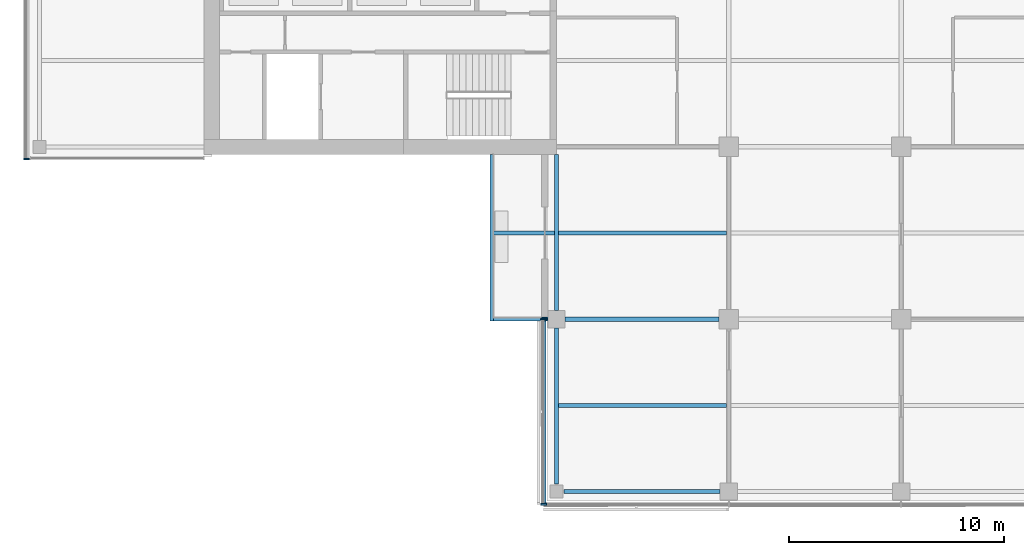
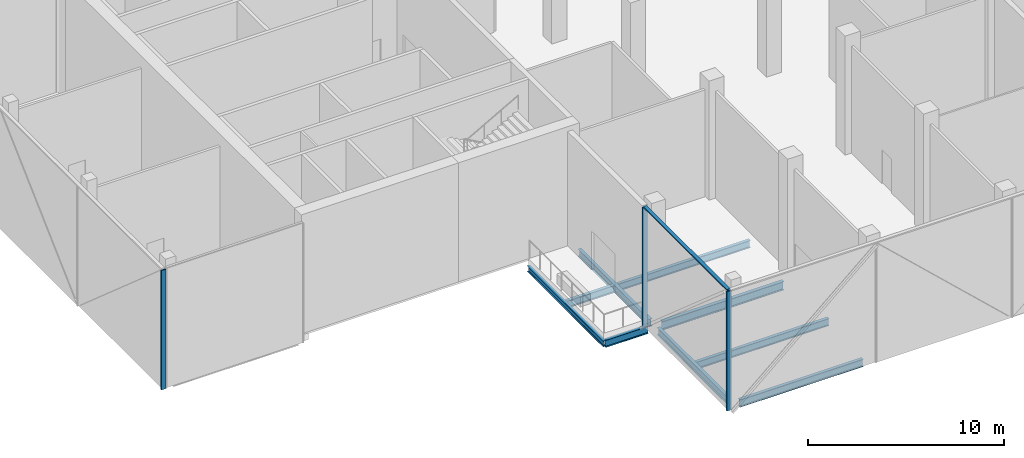
# One storey, part 2 of 20: 9 beams, 4 members, 2 elements without a shape of their own.
"""IFC4 building model written with IfcOpenShell, lengths in metres."""

from ifc_helpers import new_model, si_unit, direction, frame, origin, origin_2d, place, context, subcontext, project, spatial, rectangle, i_section, extrude, material, material_profile, profile_set, type_object, element, aggregate, save


model = new_model("IFC4")

# Units and contexts
model_context = context("Model", 3, precision=1e-05, world=origin(), true_north=direction((0.0, 1.0)))
body_context = subcontext(model_context, "Body", "Model", "MODEL_VIEW")
ifc_project = project(units=[si_unit("LENGTHUNIT", "METRE"), si_unit("AREAUNIT", "SQUARE_METRE"), si_unit("VOLUMEUNIT", "CUBIC_METRE"), si_unit("PLANEANGLEUNIT", "RADIAN"), si_unit("MASSUNIT", "GRAM", prefix="KILO")], contexts=[model_context])

# Site, building, storey
site_placement = place(None, origin())
site = spatial("IfcSite", under=ifc_project, at=site_placement, CompositionType="ELEMENT")
building_placement = place(site_placement, origin())
building = spatial("IfcBuilding", under=site, at=building_placement, Name="Crosswind Convention Tower", CompositionType="ELEMENT")
storey_placement = place(building_placement, frame((0.0, 0.0, 171.5)))
storey = spatial("IfcBuildingStorey", under=building, at=storey_placement, Name="L36", CompositionType="ELEMENT", Elevation=171.5)

# Beams
ifc_material_1 = material(Name="Steel S355", Category="steel")
ifc_material_profile_1 = material_profile(ifc_material_1, i_section(OverallWidth=0.18994140625, OverallDepth=0.45361328125, WebThickness=0.008544921875, FlangeThickness=0.0126953125, FilletRadius=0.01025390625, at=origin_2d()), Name="UB 457x191x67")
ifc_profile_set_1 = profile_set([ifc_material_profile_1], Name="Steel S355")
beam_type_1 = type_object("IfcBeamType", Name="Balcony cantilever UB 457x191x67", PredefinedType="BEAM", material=ifc_profile_set_1)
beam_1_placement = place(storey_placement, frame((112.904296875, 84.0, -0.626708984375), z_axis=(-1.0, 0.0, 0.0), x_axis=(0.0, -1.0, 0.0)))
element("IfcBeam", 1, at=beam_1_placement, inside=storey, type_object=beam_type_1, Name="B36 L36 balcony cantilever SW 7", PredefinedType="BEAM", context=body_context, shape_type="SweptSolid", body=[
    extrude(i_section(OverallWidth=0.18994140625, OverallDepth=0.45361328125, WebThickness=0.008544921875, FlangeThickness=0.0126953125, FilletRadius=0.01025390625, at=origin_2d()), origin(), (0.0, 0.0, 1.0), 2.818603515625),
])
beam_2_placement = place(storey_placement, frame((112.60009765625, 80.0, -0.626708984375), z_axis=(-1.0, 0.0, 0.0), x_axis=(0.0, -1.0, 0.0)))
element("IfcBeam", 2, at=beam_2_placement, inside=storey, type_object=beam_type_1, Name="B36 L36 balcony cantilever SW 8", PredefinedType="BEAM", context=body_context, shape_type="SweptSolid", body=[
    extrude(i_section(OverallWidth=0.18994140625, OverallDepth=0.45361328125, WebThickness=0.008544921875, FlangeThickness=0.0126953125, FilletRadius=0.01025390625, at=origin_2d()), origin(), (0.0, 0.0, 1.0), 2.514404296875),
])
ifc_material_profile_2 = material_profile(ifc_material_1, i_section(OverallWidth=0.17138671875, OverallDepth=0.355712890625, WebThickness=0.00732421875, FlangeThickness=0.011474609375, FilletRadius=0.01025390625, at=origin_2d()), Name="UB 356x171x51")
ifc_profile_set_2 = profile_set([ifc_material_profile_2], Name="Steel S355")
beam_type_2 = type_object("IfcBeamType", Name="Balcony edge beam UB 356x171x51", PredefinedType="BEAM", material=ifc_profile_set_2)
beam_3_placement = place(storey_placement, frame((110.0, 87.64990234375, -0.577880859375), z_axis=(0.0, -1.0, 0.0), x_axis=(1.0, 0.0, 0.0)))
element("IfcBeam", 3, at=beam_3_placement, inside=storey, type_object=beam_type_2, Name="B38 L36 balcony edge beam SW 9", PredefinedType="BEAM", context=body_context, shape_type="SweptSolid", body=[
    extrude(i_section(OverallWidth=0.17138671875, OverallDepth=0.355712890625, WebThickness=0.00732421875, FlangeThickness=0.011474609375, FilletRadius=0.01025390625, at=origin_2d()), origin(), (0.0, 0.0, 1.0), 7.744873046875),
])
ifc_material_profile_3 = material_profile(ifc_material_1, i_section(OverallWidth=0.19140625, OverallDepth=0.460205078125, WebThickness=0.010009765625, FlangeThickness=0.01611328125, FilletRadius=0.01025390625, at=origin_2d()), Name="UB 457x191x82")
ifc_profile_set_3 = profile_set([ifc_material_profile_3], Name="Steel S355")
beam_type_3 = type_object("IfcBeamType", Name="Edge beam UB 457x191x82", PredefinedType="SPANDREL", material=ifc_profile_set_3)
for number, where, z_axis, x_axis, name in (
    (4, (113.0, 72.35009765625, -0.630126953125), (0.0, 1.0, 0.0), (-1.0, 0.0, 0.0), "B18 L36 edge beam 6"),
    (5, (113.0, 80.39990234375, -0.630126953125), (0.0, 1.0, 0.0), (-1.0, 0.0, 0.0), "B18 L36 edge beam 7"),
    (6, (113.35009765625, 72.0, -0.630126953125), (1.0, 0.0, 0.0), (0.0, 1.0, 0.0), "B18 L36 edge beam 10"),
):
    element("IfcBeam", number, at=place(storey_placement, frame(where, z_axis=z_axis, x_axis=x_axis)), inside=storey, type_object=beam_type_3, Name=name, PredefinedType="SPANDREL", context=body_context, shape_type="SweptSolid", body=[
        extrude(i_section(OverallWidth=0.19140625, OverallDepth=0.460205078125, WebThickness=0.010009765625, FlangeThickness=0.01611328125, FilletRadius=0.01025390625, at=origin_2d()), origin(), (0.0, 0.0, 1.0), 7.25),
    ])
ifc_material_profile_4 = material_profile(ifc_material_1, i_section(OverallWidth=0.210205078125, OverallDepth=0.53662109375, WebThickness=0.010986328125, FlangeThickness=0.017333984375, FilletRadius=0.0126953125, at=origin_2d()), Name="UB 533x210x101")
ifc_profile_set_4 = profile_set([ifc_material_profile_4], Name="Steel S355")
beam_type_4 = type_object("IfcBeamType", Name="Girder UB 533x210x101", PredefinedType="BEAM", material=ifc_profile_set_4)
beam_4_placement = place(storey_placement, frame((113.39990234375, 80.0, -0.66845703125), z_axis=(1.0, 0.0, 0.0), x_axis=(0.0, 1.0, 0.0)))
element("IfcBeam", 7, at=beam_4_placement, inside=storey, type_object=beam_type_4, Name="B4 L36 girder 1", PredefinedType="BEAM", context=body_context, shape_type="SweptSolid", body=[
    extrude(i_section(OverallWidth=0.210205078125, OverallDepth=0.53662109375, WebThickness=0.010986328125, FlangeThickness=0.017333984375, FilletRadius=0.0126953125, at=origin_2d()), origin(), (0.0, 0.0, 1.0), 7.150146484375),
])

# Curtain wall, member
ifc_material_2 = material(Name="Aluminium unitised curtain wall", Category="aluminium")
curtain_wall_type = type_object("IfcCurtainWallType", Name="SKY LOBBY AND LOUNGE WALL 280", PredefinedType="USERDEFINED", material=ifc_material_2)
curtain_wall_1_placement = place(storey_placement, origin())
curtain_wall_1 = element("IfcCurtainWall", 8, at=curtain_wall_1_placement, inside=storey, type_object=curtain_wall_type, Name="CW4 L36 W-TIP 1", ObjectType="UNITISED", PredefinedType="USERDEFINED")
ifc_material_3 = material(Name="Aluminium mullion", Category="aluminium")
ifc_material_profile_5 = material_profile(ifc_material_3, rectangle(XDim=0.280029296875, YDim=0.074951171875, at=origin_2d()), Name="AL 280X75")
ifc_profile_set_5 = profile_set([ifc_material_profile_5], Name="Aluminium mullion")
member_type_1 = type_object("IfcMemberType", Name="MULLION 75X280", PredefinedType="MULLION", material=ifc_profile_set_5)
member_1_placement = place(storey_placement, frame((88.409912109375, 87.427490234375, -0.39990234375), z_axis=(0.0, 0.0, 1.0), x_axis=(-1.0, 0.0, 0.0)))
member_1 = element("IfcMember", 9, at=member_1_placement, type_object=member_type_1, Name="CW4 mullion 4", PredefinedType="MULLION", context=body_context, shape_type="SweptSolid", body=[
    extrude(rectangle(XDim=0.280029296875, YDim=0.074951171875, at=origin_2d()), origin(), (0.0, 0.0, 1.0), 7.4248046875),
])
aggregate(curtain_wall_1, [member_1])

# Curtain wall, members
curtain_wall_2_placement = place(storey_placement, origin())
curtain_wall_2 = element("IfcCurtainWall", 10, at=curtain_wall_2_placement, inside=storey, type_object=curtain_wall_type, Name="CW4 L36 S-W 1", ObjectType="UNITISED", PredefinedType="USERDEFINED")
member_2_placement = place(storey_placement, frame((112.409912109375, 80.0, -0.39990234375), z_axis=(0.0, 0.0, 1.0), x_axis=(-1.0, 0.0, 0.0)))
member_2 = element("IfcMember", 11, at=member_2_placement, type_object=member_type_1, Name="CW4 mullion 1", PredefinedType="MULLION", context=body_context, shape_type="SweptSolid", body=[
    extrude(rectangle(XDim=0.280029296875, YDim=0.074951171875, at=origin_2d()), origin(), (0.0, 0.0, 1.0), 7.4248046875),
])
member_3_placement = place(storey_placement, frame((112.409912109375, 71.409912109375, -0.39990234375), z_axis=(0.0, 0.0, 1.0), x_axis=(-1.0, 0.0, 0.0)))
member_3 = element("IfcMember", 12, at=member_3_placement, type_object=member_type_1, Name="CW4 mullion 2", PredefinedType="MULLION", context=body_context, shape_type="SweptSolid", body=[
    extrude(rectangle(XDim=0.280029296875, YDim=0.074951171875, at=origin_2d()), origin(), (0.0, 0.0, 1.0), 7.4248046875),
])

# Beams
ifc_material_profile_6 = material_profile(ifc_material_1, i_section(OverallWidth=0.18994140625, OverallDepth=0.45361328125, WebThickness=0.008544921875, FlangeThickness=0.0126953125, FilletRadius=0.01025390625, at=origin_2d()), Name="UB 457x191x67")
ifc_profile_set_6 = profile_set([ifc_material_profile_6], Name="Steel S355")
beam_type_5 = type_object("IfcBeamType", Name="Secondary beam UB 457x191x67", PredefinedType="JOIST", material=ifc_profile_set_6)
for number, where, z_axis, x_axis, name in (
    (13, (113.095703125, 76.0, -0.626708984375), (1.0, 0.0, 0.0), (0.0, 1.0, 0.0), "B11 L36 secondary beam 7"),
    (14, (113.095703125, 84.0, -0.626708984375), (1.0, 0.0, 0.0), (0.0, 1.0, 0.0), "B11 L36 secondary beam 8"),
):
    element("IfcBeam", number, at=place(storey_placement, frame(where, z_axis=z_axis, x_axis=x_axis)), inside=storey, type_object=beam_type_5, Name=name, PredefinedType="JOIST", context=body_context, shape_type="SweptSolid", body=[
        extrude(i_section(OverallWidth=0.18994140625, OverallDepth=0.45361328125, WebThickness=0.008544921875, FlangeThickness=0.0126953125, FilletRadius=0.01025390625, at=origin_2d()), origin(), (0.0, 0.0, 1.0), 7.79931640625),
    ])

# Member
ifc_material_4 = material(Name="Aluminium transom", Category="aluminium")
ifc_material_profile_7 = material_profile(ifc_material_4, rectangle(XDim=0.199951171875, YDim=0.074951171875, at=origin_2d()), Name="AL 200X75")
ifc_profile_set_7 = profile_set([ifc_material_profile_7], Name="Aluminium transom")
member_type_2 = type_object("IfcMemberType", Name="TRANSOM 75X200", PredefinedType="USERDEFINED", material=ifc_profile_set_7)
member_4_placement = place(storey_placement, frame((112.409912109375, 79.96240234375, 7.0625), z_axis=(0.0, -1.0, 0.0), x_axis=(1.0, 0.0, 0.0)))
member_4 = element("IfcMember", 15, at=member_4_placement, type_object=member_type_2, Name="CW4 transom", ObjectType="TRANSOM", PredefinedType="USERDEFINED", context=body_context, shape_type="SweptSolid", body=[
    extrude(rectangle(XDim=0.199951171875, YDim=0.074951171875, at=origin_2d()), origin(), (0.0, 0.0, 1.0), 8.514892578125),
])

aggregate(curtain_wall_2, [member_2, member_3, member_4])

save(model, "model.ifc")
